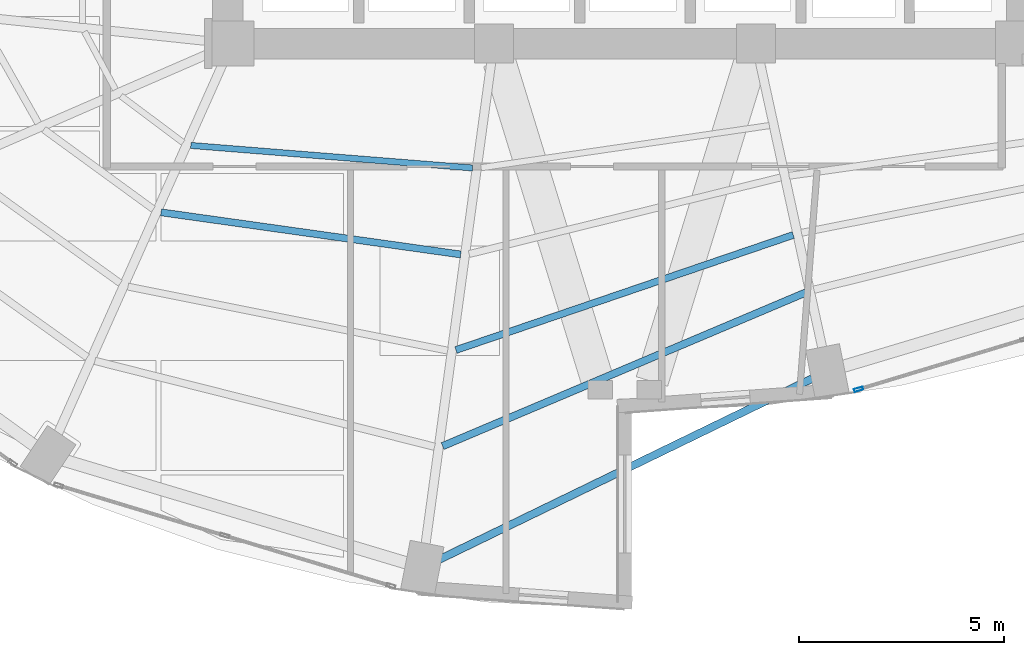
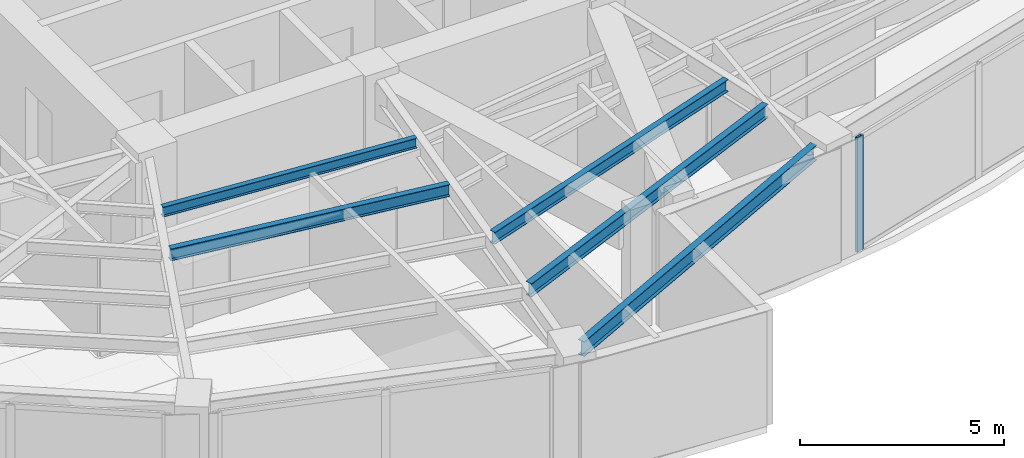
# One storey, part 6 of 23: 5 beams, 1 member, 1 element without a shape of its own.
"""IFC4 building model written with IfcOpenShell, lengths in metres."""

from ifc_helpers import new_model, si_unit, direction, frame, origin, origin_2d, place, context, subcontext, project, spatial, hollow_rectangle, i_section, extrude, material, layer, layer_set, material_profile, profile_set, type_object, element, aggregate, save


model = new_model("IFC4")

# Units and contexts
model_context = context("Model", 3, precision=1e-05, world=origin(), true_north=direction((0.0, 1.0)))
body_context = subcontext(model_context, "Body", "Model", "MODEL_VIEW")
ifc_project = project(units=[si_unit("LENGTHUNIT", "METRE"), si_unit("AREAUNIT", "SQUARE_METRE"), si_unit("VOLUMEUNIT", "CUBIC_METRE"), si_unit("PLANEANGLEUNIT", "RADIAN"), si_unit("MASSUNIT", "GRAM", prefix="KILO")], contexts=[model_context])

# Site, building, storey
site_placement = place(None, origin())
site = spatial("IfcSite", under=ifc_project, at=site_placement, CompositionType="ELEMENT")
building_placement = place(site_placement, origin())
building = spatial("IfcBuilding", under=site, at=building_placement, Name="Lazwardi Medical Tower", CompositionType="ELEMENT")
storey_placement = place(building_placement, frame((0.0, 0.0, 85.39208984375)))
storey = spatial("IfcBuildingStorey", under=building, at=storey_placement, Name="L21", CompositionType="ELEMENT", Elevation=85.39208984375)

# Beams
ifc_material_1 = material(Name="Steel S355", Category="steel")
ifc_material_profile_1 = material_profile(ifc_material_1, i_section(OverallWidth=0.179931640625, OverallDepth=0.39990234375, WebThickness=0.008544921875, FlangeThickness=0.013427734375, at=origin_2d()), Name="IPE 400")
ifc_profile_set_1 = profile_set([ifc_material_profile_1], Name="Steel S355")
beam_type_1 = type_object("IfcBeamType", Name="BM-SJ-01", PredefinedType="JOIST", material=ifc_profile_set_1)
beam_1_placement = place(storey_placement, frame((31.550537109375, 10.571533203125, 3.22802734375), z_axis=(0.920947307957, 0.389687125739, 0.0), x_axis=(-0.389687125739, 0.920947307957, 0.0)))
element("IfcBeam", 1, at=beam_1_placement, inside=storey, type_object=beam_type_1, Name="Secondary joist SJ-01 R1 B16 L21", PredefinedType="JOIST", context=body_context, shape_type="SweptSolid", body=[
    extrude(i_section(OverallWidth=0.179931640625, OverallDepth=0.39990234375, WebThickness=0.008544921875, FlangeThickness=0.013427734375, at=origin_2d()), origin(), (0.0, 0.0, 1.0), 9.63134765625),
])
ifc_material_profile_2 = material_profile(ifc_material_1, i_section(OverallWidth=0.169921875, OverallDepth=0.360107421875, WebThickness=0.008056640625, FlangeThickness=0.0126953125, at=origin_2d()), Name="IPE 360")
ifc_profile_set_2 = profile_set([ifc_material_profile_2], Name="Steel S355")
beam_type_2 = type_object("IfcBeamType", Name="BM-SJ-02", PredefinedType="JOIST", material=ifc_profile_set_2)
beam_2_placement = place(storey_placement, frame((31.874267578125, 12.91796875, 3.247802734375), z_axis=(0.946467154368, 0.322800132749, 0.0), x_axis=(-0.322800132749, 0.946467154368, 0.0)))
element("IfcBeam", 2, at=beam_2_placement, inside=storey, type_object=beam_type_2, Name="Secondary joist SJ-02 R2 B16 L21", PredefinedType="JOIST", context=body_context, shape_type="SweptSolid", body=[
    extrude(i_section(OverallWidth=0.169921875, OverallDepth=0.360107421875, WebThickness=0.008056640625, FlangeThickness=0.0126953125, at=origin_2d()), origin(), (0.0, 0.0, 1.0), 8.70458984375),
])
beam_3_placement = place(storey_placement, frame((24.67431640625, 16.281005859375, 3.247802734375), z_axis=(0.990260920731, -0.139223952222, 0.0), x_axis=(0.139223952222, 0.990260920731, 0.0)))
element("IfcBeam", 3, at=beam_3_placement, inside=storey, type_object=beam_type_2, Name="Secondary joist SJ-02 R3 B15 L21", PredefinedType="JOIST", context=body_context, shape_type="SweptSolid", body=[
    extrude(i_section(OverallWidth=0.169921875, OverallDepth=0.360107421875, WebThickness=0.008056640625, FlangeThickness=0.0126953125, at=origin_2d()), origin(), (0.0, 0.0, 1.0), 7.3896484375),
])
ifc_material_profile_3 = material_profile(ifc_material_1, i_section(OverallWidth=0.14990234375, OverallDepth=0.300048828125, WebThickness=0.007080078125, FlangeThickness=0.0107421875, at=origin_2d()), Name="IPE 300")
ifc_profile_set_3 = profile_set([ifc_material_profile_3], Name="Steel S355")
beam_type_3 = type_object("IfcBeamType", Name="BM-SJ-03", PredefinedType="JOIST", material=ifc_profile_set_3)
beam_4_placement = place(storey_placement, frame((25.400390625, 17.914306640625, 3.27783203125), z_axis=(0.996816178299, -0.079733974445, 0.0), x_axis=(0.079733974445, 0.996816178299, 0.0)))
element("IfcBeam", 4, at=beam_4_placement, inside=storey, type_object=beam_type_3, Name="Secondary joist SJ-03 R4 B15 L21", PredefinedType="JOIST", context=body_context, shape_type="SweptSolid", body=[
    extrude(i_section(OverallWidth=0.14990234375, OverallDepth=0.300048828125, WebThickness=0.007080078125, FlangeThickness=0.0107421875, at=origin_2d()), origin(), (0.0, 0.0, 1.0), 6.901611328125),
])
ifc_material_profile_4 = material_profile(ifc_material_1, i_section(OverallWidth=0.18994140625, OverallDepth=0.449951171875, WebThickness=0.009521484375, FlangeThickness=0.0146484375, at=origin_2d()), Name="IPE 450")
ifc_profile_set_4 = profile_set([ifc_material_profile_4], Name="Steel S355")
beam_type_4 = type_object("IfcBeamType", Name="BM-SP-01", PredefinedType="SPANDREL", material=ifc_profile_set_4)
beam_5_placement = place(storey_placement, frame((31.42333984375, 7.781494140625, 3.202880859375), z_axis=(0.899653336227, 0.436604941125, 0.0), x_axis=(-0.436604941125, 0.899653336227, 0.0)))
element("IfcBeam", 5, at=beam_5_placement, inside=storey, type_object=beam_type_4, Name="Spandrel beam SP-01 B16 L21", PredefinedType="SPANDREL", context=body_context, shape_type="SweptSolid", body=[
    extrude(i_section(OverallWidth=0.18994140625, OverallDepth=0.449951171875, WebThickness=0.009521484375, FlangeThickness=0.0146484375, at=origin_2d()), origin(), (0.0, 0.0, 1.0), 10.17431640625),
])

# Curtain wall, member
ifc_material_2 = material(Name="Anodised bronze aluminium and solar control glazing", Category="aluminium")
ifc_layer = layer(ifc_material_2, 0.195068359375)
ifc_layer_set = layer_set([ifc_layer], Name="Anodised bronze aluminium and solar control glazing")
curtain_wall_type = type_object("IfcCurtainWallType", Name="CW-SYS-03", PredefinedType="NOTDEFINED", material=ifc_layer_set)
curtain_wall_placement = place(storey_placement, origin())
curtain_wall = element("IfcCurtainWall", 6, at=curtain_wall_placement, inside=storey, type_object=curtain_wall_type, Name="L21 Unitised bronze curtain wall CW-03", PredefinedType="NOTDEFINED")
ifc_material_3 = material(Name="Anodised bronze aluminium", Category="aluminium")
ifc_material_profile_5 = material_profile(ifc_material_3, hollow_rectangle(XDim=0.074951171875, YDim=0.219970703125, WallThickness=0.00390625, at=origin_2d()), Name="ALU-MULLION 220x75x4")
ifc_profile_set_5 = profile_set([ifc_material_profile_5], Name="Anodised bronze aluminium")
member_type = type_object("IfcMemberType", Name="CW-MUL-01", PredefinedType="MULLION", material=ifc_profile_set_5)
member_placement = place(storey_placement, frame((41.710205078125, 11.9599609375, 0.0), z_axis=(0.0, 0.0, 1.0), x_axis=(-0.28937381157, 0.957216170558, 0.0)))
member = element("IfcMember", 7, at=member_placement, type_object=member_type, Name="CW-03 mullion 1", PredefinedType="MULLION", context=body_context, shape_type="SweptSolid", body=[
    extrude(hollow_rectangle(XDim=0.074951171875, YDim=0.219970703125, WallThickness=0.00390625, at=origin_2d()), origin(), (0.0, 0.0, 1.0), 3.427978515625),
])
aggregate(curtain_wall, [member])

save(model, "model.ifc")
